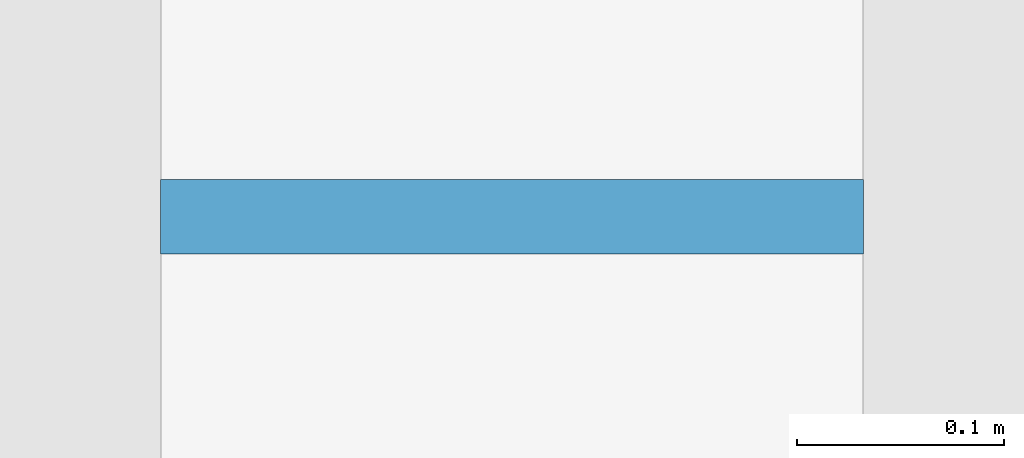
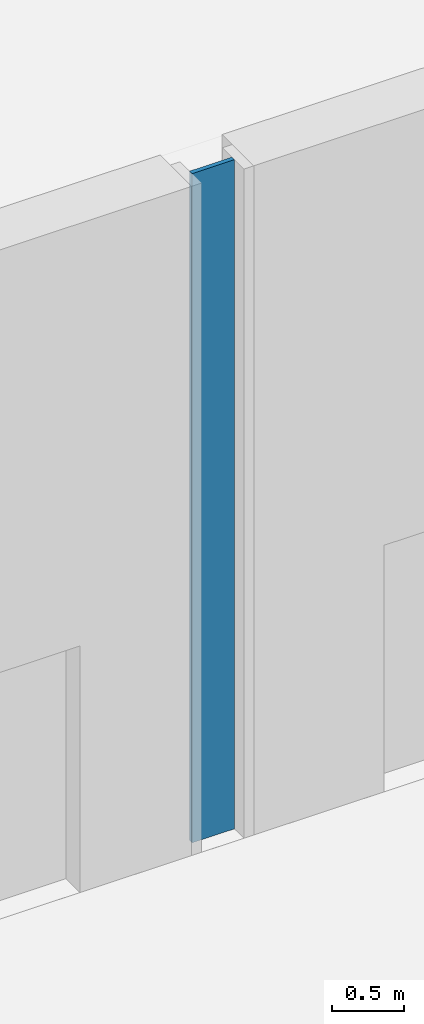
# One storey, part 26 of 75: 1 plate, 1 element without a shape of its own.
"""IFC4 building model written with IfcOpenShell, lengths in metres."""

import ifcopenshell
import ifcopenshell.guid

model = None  # the IFC model being written
_history = None  # IfcOwnerHistory: only IFC2X3 demands one
_inside = {}  # id of a spatial element -> (the spatial element, [elements in it])
_under = {}  # id of a project, library or spatial element -> (it, [spatial elements below it])
_declared = {}  # id of a project -> (the project, [libraries it declares])
_typed = {}  # id of a type object -> (the type object, [elements of that type])
_made_of = {}  # id of a material, layer set ... -> (it, [elements and type objects made of it])


def new_model(schema):
    """Start an empty IFC model of exactly this schema.

    Asked for "IFC4X3", IfcOpenShell would pick the latest addendum, in which some entities
    have other attributes; the version numbers below select the first issue.
    IFC2X3 requires an IfcOwnerHistory on every rooted entity: one is made here for all.
    """
    global model, _history
    if schema == "IFC4X3":
        model = ifcopenshell.file(schema_version=(4, 3, 0, 0))
    else:
        model = ifcopenshell.file(schema=schema)
    _inside.clear()
    _under.clear()
    _declared.clear()
    _typed.clear()
    _made_of.clear()
    _history = None
    if model.schema == "IFC2X3":
        org = make("IfcOrganization", Name="unknown")
        user = make(
            "IfcPersonAndOrganization",
            ThePerson=make("IfcPerson", FamilyName="unknown"),
            TheOrganization=org,
        )
        app = make(
            "IfcApplication",
            ApplicationDeveloper=org,
            Version="unknown",
            ApplicationFullName="unknown",
            ApplicationIdentifier="unknown",
        )
        _history = make(
            "IfcOwnerHistory",
            OwningUser=user,
            OwningApplication=app,
            ChangeAction="ADDED",
            CreationDate=0,
        )
    return model


def make(cls, **values):
    """One entity of the class cls with the attributes given. An attribute that is None is left unset."""
    return model.create_entity(
        cls, **{name: value for name, value in values.items() if value is not None}
    )


def rooted(cls, **values):
    """An entity with a GlobalId (a new one), such as an element, a storey or a relation."""
    return make(cls, GlobalId=ifcopenshell.guid.new(), OwnerHistory=_history, **values)


def si_unit(unit_type, name, prefix=None):
    """IfcSIUnit, for example si_unit("LENGTHUNIT", "METRE", prefix="MILLI")."""
    return make("IfcSIUnit", UnitType=unit_type, Prefix=prefix, Name=name)


def assignment(units):
    """IfcUnitAssignment: the units of a project."""
    return None if units is None else make("IfcUnitAssignment", Units=units)


def point(xyz):
    """IfcCartesianPoint."""
    return None if xyz is None else make("IfcCartesianPoint", Coordinates=xyz)


def direction(xyz):
    """IfcDirection."""
    return None if xyz is None else make("IfcDirection", DirectionRatios=xyz)


def frame(location, z_axis=None, x_axis=None):
    """IfcAxis2Placement3D, a coordinate frame: its origin and axes. An axis left out is left unset."""
    return make(
        "IfcAxis2Placement3D",
        Location=point(location),
        Axis=direction(z_axis),
        RefDirection=direction(x_axis),
    )


def frame_2d(location, x_axis=None):
    """IfcAxis2Placement2D, a coordinate frame in the plane: its origin and x axis."""
    return make(
        "IfcAxis2Placement2D", Location=point(location), RefDirection=direction(x_axis)
    )


def origin():
    """The frame at (0, 0, 0) with its axes left unset."""
    return frame((0.0, 0.0, 0.0))


def origin_2d():
    """The frame at (0, 0) in the plane with its x axis left unset."""
    return frame_2d((0.0, 0.0))


def place(relative_to, where):
    """IfcLocalPlacement: puts the frame where relative to a parent placement (None: the world)."""
    return make(
        "IfcLocalPlacement", PlacementRelTo=relative_to, RelativePlacement=where
    )


def context(
    kind, dimensions, precision=None, world=None, true_north=None, identifier=None
):
    """IfcGeometricRepresentationContext, for example the 3D "Model" context."""
    return make(
        "IfcGeometricRepresentationContext",
        ContextIdentifier=identifier,
        ContextType=kind,
        CoordinateSpaceDimension=dimensions,
        Precision=precision,
        WorldCoordinateSystem=world,
        TrueNorth=true_north,
    )


def subcontext(parent, identifier, kind, view, scale=None):
    """IfcGeometricRepresentationSubContext, for example "Body" below "Model"."""
    return make(
        "IfcGeometricRepresentationSubContext",
        ContextIdentifier=identifier,
        ContextType=kind,
        ParentContext=parent,
        TargetScale=scale,
        TargetView=view,
    )


def project(units=None, contexts=None):
    """IfcProject with its units and contexts."""
    return rooted(
        "IfcProject",
        Name="project",
        RepresentationContexts=contexts,
        UnitsInContext=assignment(units),
    )


def spatial(cls, under=None, at=None, **own):
    """A site, building, storey or space (cls), placed at a placement, below another one or the project."""
    s = rooted(cls, ObjectPlacement=at, **own)
    if under is not None:
        _under.setdefault(under.id(), (under, []))[1].append(s)
    return s


def profile(cls, at=None, kind="AREA", **sizes):
    """A parametric profile (cls). Its sizes go by their IFC names, for example OverallWidth=200.0."""
    return make(cls, ProfileType=kind, Position=at, **sizes)


def rectangle(**sizes):
    """IfcRectangleProfileDef."""
    return profile("IfcRectangleProfileDef", **sizes)


def extrude(swept, where, along, depth):
    """IfcExtrudedAreaSolid: the profile swept, set in the frame where, extruded along a direction by depth."""
    return make(
        "IfcExtrudedAreaSolid",
        SweptArea=swept,
        Position=where,
        ExtrudedDirection=direction(along),
        Depth=depth,
    )


def shape(context_of_items, identifier, shape_type, items):
    """IfcShapeRepresentation: the items that make up one representation, for example the "Body"."""
    return make(
        "IfcShapeRepresentation",
        ContextOfItems=context_of_items,
        RepresentationIdentifier=identifier,
        RepresentationType=shape_type,
        Items=items,
    )


def material(Name=None, Category=None):
    """IfcMaterial."""
    return make("IfcMaterial", Name=Name, Category=Category)


def layer(
    of_material, thickness, ventilated=None, Name=None, Category=None, Priority=None
):
    """IfcMaterialLayer: one layer of a wall or slab, of a material (None: an air gap)."""
    return make(
        "IfcMaterialLayer",
        Material=of_material,
        LayerThickness=thickness,
        IsVentilated=ventilated,
        Name=Name,
        Category=Category,
        Priority=Priority,
    )


def layer_set(layers, Name=None):
    """IfcMaterialLayerSet."""
    return make("IfcMaterialLayerSet", MaterialLayers=layers, LayerSetName=Name)


def made_of(thing, what):
    """Note that an element or type object is made of a material, layer set ...; save() writes the relation."""
    if what is not None:
        _made_of.setdefault(what.id(), (what, []))[1].append(thing)
    return thing


def type_object(cls, material=None, **own):
    """A type object (cls), such as IfcWallType, which elements share."""
    return made_of(rooted(cls, **own), material)


def element(
    cls,
    number,
    at=None,
    inside=None,
    cuts=None,
    type_object=None,
    material=None,
    context=None,
    identifier="Body",
    shape_type=None,
    held_by="IfcProductDefinitionShape",
    body=None,
    shapes=None,
    **own,
):
    """One element of the class cls, such as IfcWall. Its Tag is "e" and its number.

    at: its placement. inside: the storey or other place that contains it. cuts: it is an
    opening in that element (IfcRelVoidsElement). A single representation is given by context,
    identifier, shape_type and body (its items); several are given by shapes. held_by: the class
    of the entity that holds the representations. save() writes the other relations.
    """
    e = rooted(cls, Tag="e%d" % number, ObjectPlacement=at, **own)
    if body is not None:
        shapes = [shape(context, identifier, shape_type, body)]
    if shapes is not None:
        e.Representation = make(held_by, Representations=shapes)
    if inside is not None:
        _inside.setdefault(inside.id(), (inside, []))[1].append(e)
    if cuts is not None:
        rooted(
            "IfcRelVoidsElement", RelatingBuildingElement=cuts, RelatedOpeningElement=e
        )
    if type_object is not None:
        _typed.setdefault(type_object.id(), (type_object, []))[1].append(e)
    return made_of(e, material)


def aggregate(whole, parts):
    """IfcRelAggregates: a whole, such as a stair, and the parts it consists of."""
    return rooted("IfcRelAggregates", RelatingObject=whole, RelatedObjects=parts)


def save(model, path):
    """Write the relations noted so far, then the file.

    IfcRelAggregates (storeys below a building ...), IfcRelContainedInSpatialStructure (elements
    in a storey), IfcRelDefinesByType, IfcRelAssociatesMaterial and IfcRelDeclares: one each for
    every whole, place, type object, material and project.
    """
    for whole, parts in _under.values():
        aggregate(whole, parts)
    for where, things in _inside.values():
        rooted(
            "IfcRelContainedInSpatialStructure",
            RelatedElements=things,
            RelatingStructure=where,
        )
    for kind, things in _typed.values():
        rooted("IfcRelDefinesByType", RelatedObjects=things, RelatingType=kind)
    for what, things in _made_of.values():
        rooted("IfcRelAssociatesMaterial", RelatedObjects=things, RelatingMaterial=what)
    for by, libraries in _declared.values():
        rooted("IfcRelDeclares", RelatingContext=by, RelatedDefinitions=libraries)
    model.write(path)


model = new_model("IFC4")

# Units and contexts
model_context = context("Model", 3, precision=1e-05, world=origin(), true_north=direction((0.0, 1.0)))
body_context = subcontext(model_context, "Body", "Model", "MODEL_VIEW")
ifc_project = project(units=[si_unit("LENGTHUNIT", "METRE"), si_unit("AREAUNIT", "SQUARE_METRE"), si_unit("VOLUMEUNIT", "CUBIC_METRE"), si_unit("PLANEANGLEUNIT", "RADIAN"), si_unit("MASSUNIT", "GRAM", prefix="KILO")], contexts=[model_context])

# Site, building, storey
site_placement = place(None, origin())
site = spatial("IfcSite", under=ifc_project, at=site_placement, CompositionType="ELEMENT")
building_placement = place(site_placement, origin())
building = spatial("IfcBuilding", under=site, at=building_placement, Name="Ipe Terrace Towers", CompositionType="ELEMENT")
storey_placement = place(building_placement, origin())
storey = spatial("IfcBuildingStorey", under=building, at=storey_placement, Name="L00", CompositionType="ELEMENT", Elevation=0.0)

# Curtain wall, plate
ifc_material_1 = material(Name="Aluminium alloy 6063-T6", Category="aluminium")
ifc_layer_1 = layer(ifc_material_1, 0.43994140625)
ifc_layer_set_1 = layer_set([ifc_layer_1], Name="PODIUM GLAZING CURTAIN WALL")
curtain_wall_type = type_object("IfcCurtainWallType", Name="PODIUM GLAZING CURTAIN WALL", PredefinedType="NOTDEFINED", material=ifc_layer_set_1)
curtain_wall_placement = place(storey_placement, origin())
curtain_wall = element("IfcCurtainWall", 1, at=curtain_wall_placement, inside=storey, type_object=curtain_wall_type, Name="POD-CW-L00-01i curtain wall", PredefinedType="NOTDEFINED")
ifc_material_2 = material(Name="Glass, clear laminated", Category="glass")
ifc_layer_2 = layer(ifc_material_2, 0.035888671875)
ifc_layer_set_2 = layer_set([ifc_layer_2], Name="PODIUM GLAZING GLASS PANEL 36")
plate_type = type_object("IfcPlateType", Name="PODIUM GLAZING GLASS PANEL 36", PredefinedType="CURTAIN_PANEL", material=ifc_layer_set_2)
plate_placement = place(storey_placement, frame((33.5, 33.89990234375, 0.0), z_axis=(0.0, 0.0, 1.0), x_axis=(-1.0, 0.0, 0.0)))
plate = element("IfcPlate", 2, at=plate_placement, type_object=plate_type, Name="POD-CW-L00-01i panel 1", PredefinedType="CURTAIN_PANEL", context=body_context, shape_type="SweptSolid", body=[
    extrude(rectangle(XDim=0.340087890625, YDim=0.035888671875, at=origin_2d()), origin(), (0.0, 0.0, 1.0), 5.699951171875),
])
aggregate(curtain_wall, [plate])

save(model, "model.ifc")
